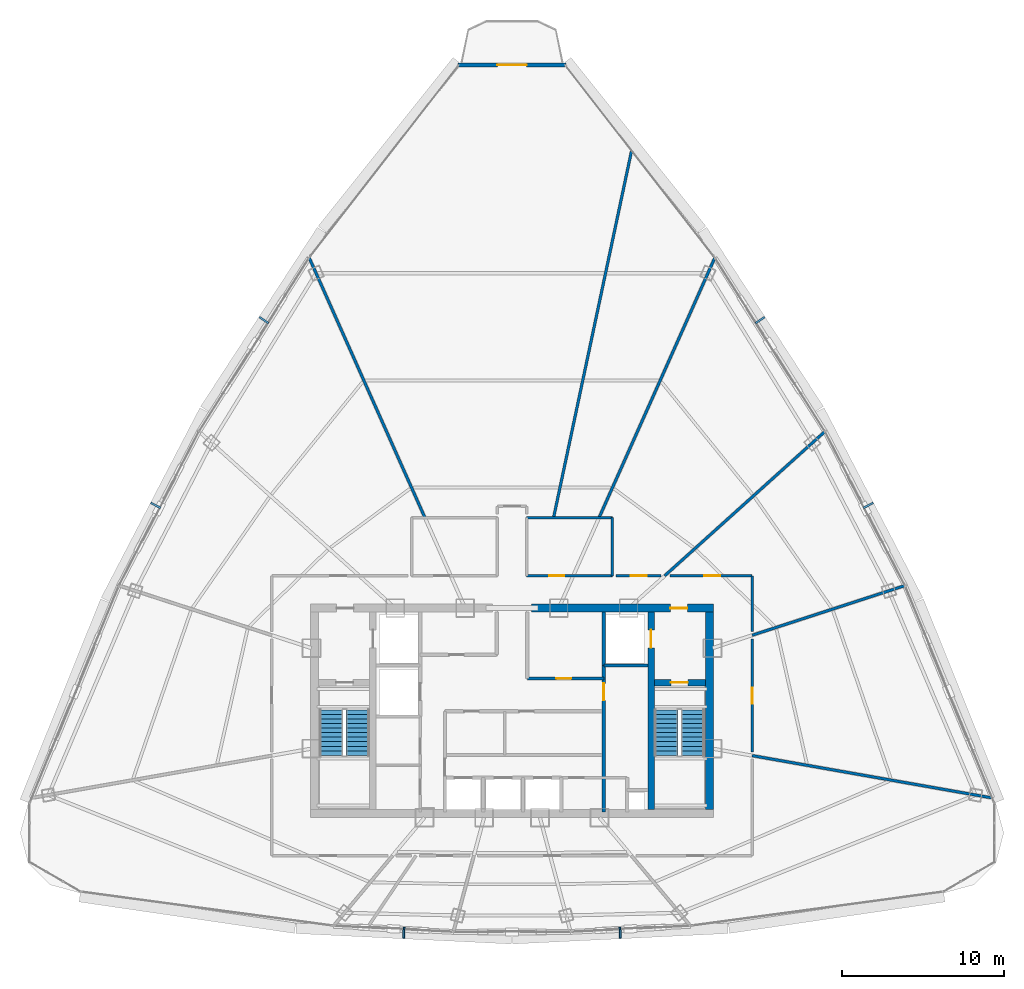
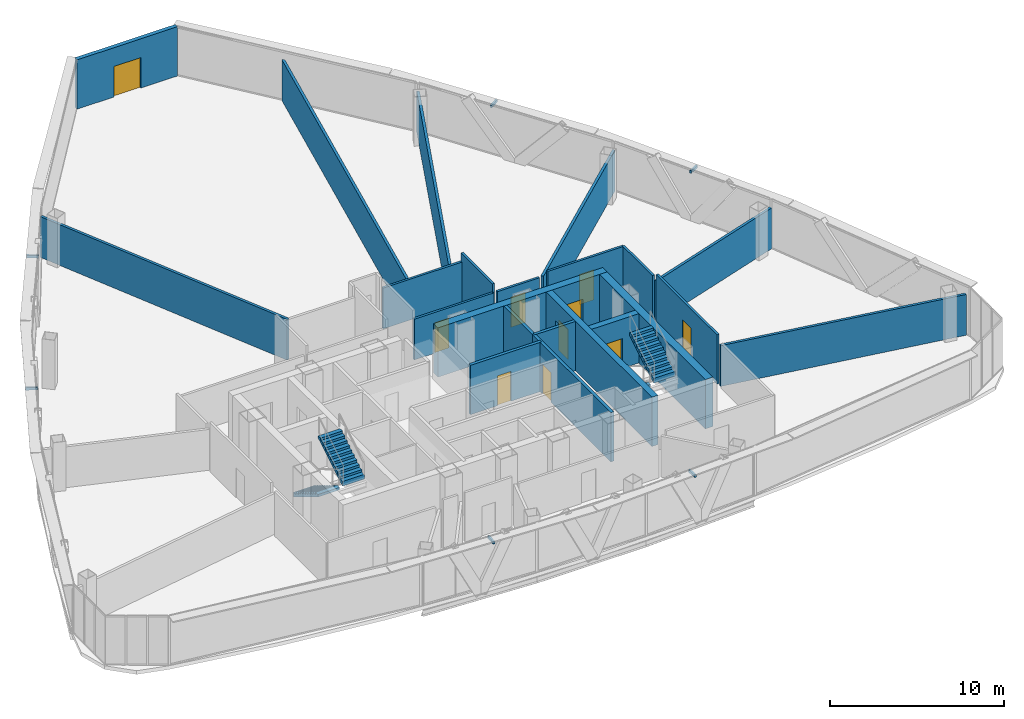
# One storey, part 30 of 33: 22 walls, 10 doors, 6 discrete accessories, 4 stair flights, 10 openings, 2 elements without a shape of their own.
"""IFC4 building model written with IfcOpenShell, lengths in metres."""

from ifc_helpers import new_model, si_unit, direction, frame, frame_2d, origin, origin_with_axes, origin_2d, place, context, subcontext, project, spatial, polyline, rectangle, outline, extrude, source, transform, mapped, material, layer, layer_set, type_object, element, fill, aggregate, save


model = new_model("IFC4")

# Units and contexts
model_context = context("Model", 3, precision=1e-05, world=origin(), true_north=direction((0.0, 1.0)))
body_context = subcontext(model_context, "Body", "Model", "MODEL_VIEW")
ifc_project = project(units=[si_unit("LENGTHUNIT", "METRE"), si_unit("AREAUNIT", "SQUARE_METRE"), si_unit("VOLUMEUNIT", "CUBIC_METRE"), si_unit("PLANEANGLEUNIT", "RADIAN"), si_unit("MASSUNIT", "GRAM", prefix="KILO"), si_unit("THERMODYNAMICTEMPERATUREUNIT", "KELVIN"), si_unit("POWERUNIT", "WATT")], contexts=[model_context])

# Site, building, storey
site_placement = place(None, origin())
site = spatial("IfcSite", under=ifc_project, at=site_placement, CompositionType="ELEMENT")
building_placement = place(site_placement, origin())
building = spatial("IfcBuilding", under=site, at=building_placement, Name="Yunzhuo Pagoda Commons", CompositionType="ELEMENT")
storey_placement = place(building_placement, frame((0.0, 0.0, 311.1298828125)))
storey = spatial("IfcBuildingStorey", under=building, at=storey_placement, Name="L78", CompositionType="ELEMENT", Elevation=311.1298828125)

# Wall, opening, door
ifc_material_1 = material(Name="Precast concrete C40", Category="concrete")
ifc_layer_1 = layer(ifc_material_1, 0.260009765625)
ifc_layer_set_1 = layer_set([ifc_layer_1], Name="Precast concrete C40")
wall_type_1 = type_object("IfcWallType", Name="W-BAL1 Corner Balcony Threshold Wall 260", PredefinedType="STANDARD", material=ifc_layer_set_1)
wall_1_placement = place(storey_placement, frame((51.3408203125, 73.785888671875, 0.0), z_axis=(0.0, 0.0, 1.0), x_axis=(-1.0, 0.0, 0.0)))
wall_1 = element("IfcWall", 1, at=wall_1_placement, inside=storey, type_object=wall_type_1, Name="L78 corner balcony wall V3", PredefinedType="STANDARD", context=body_context, shape_type="SweptSolid", body=[
    extrude(rectangle(XDim=6.681640625, YDim=0.260009765625, at=frame_2d((3.3408203125, 0.0))), origin(), (0.0, 0.0, 1.0), 3.47021484375),
])
opening_1_placement = place(wall_1_placement, frame((2.440673828125, 0.0, 0.0)))
opening_1 = element("IfcOpeningElement", 2, at=opening_1_placement, cuts=wall_1, Name="Opening D-BAL1", PredefinedType="OPENING", context=body_context, shape_type="SweptSolid", body=[
    extrude(rectangle(XDim=1.800048828125, YDim=2.14990234375, at=frame_2d((0.89990234375, 1.074951171875))), frame((0.0, 0.14013671875, 0.0), z_axis=(0.0, -1.0, 0.0), x_axis=(1.0, 0.0, 0.0)), (0.0, 0.0, 1.0), 0.280029296875),
])
ifc_material_2 = material(Name="Anodized aluminium frame and tempered glazed leaf", Category="aluminium")
door_type_1 = type_object("IfcDoorType", Name="D-BAL1 Corner Balcony Sliding Glazed Door 1800x2150", OperationType="DOUBLE_DOOR_SLIDING", PredefinedType="DOOR", material=ifc_material_2)
shared_shape_1 = source(origin(), body_context, "Body", "SweptSolid", [
    extrude(rectangle(XDim=1.800048828125, YDim=2.14990234375, at=frame_2d((0.89990234375, 1.074951171875))), frame((0.0, 0.02490234375, 0.0), z_axis=(0.0, -1.0, 0.0), x_axis=(1.0, 0.0, 0.0)), (0.0, 0.0, 1.0), 0.050048828125),
])
door_1_placement = place(opening_1_placement, origin_with_axes())
door_1 = element("IfcDoor", 3, at=door_1_placement, inside=storey, type_object=door_type_1, Name="L78 corner balcony sliding door V3", OperationType="DOUBLE_DOOR_SLIDING", OverallHeight=2.14990234375, OverallWidth=1.800048828125, PredefinedType="DOOR", context=body_context, shape_type="MappedRepresentation", body=[
    mapped(shared_shape_1, transform((0.0, 0.0, 0.0), scale=1.0)),
])
fill(opening_1, door_1)

ifc_material_3 = material(Name="Concrete C50", Category="concrete")
ifc_layer_2 = layer(ifc_material_3, 0.5)
ifc_layer_set_2 = layer_set([ifc_layer_2], Name="Concrete C50")
wall_type_2 = type_object("IfcWallType", Name="W-C03 Upper Core Shear Wall 500", PredefinedType="SHEAR", material=ifc_layer_set_2)
wall_2_placement = place(storey_placement, frame((49.199951171875, 40.199951171875, 0.0), z_axis=(0.0, 0.0, 1.0), x_axis=(1.0, 0.0, 0.0)))
wall_2 = element("IfcWall", 4, at=wall_2_placement, inside=storey, type_object=wall_type_2, Name="L78 core shear wall NE", PredefinedType="SHEAR", context=body_context, shape_type="SweptSolid", body=[
    extrude(rectangle(XDim=11.25, YDim=0.5, at=frame_2d((5.625, 0.0))), origin(), (0.0, 0.0, 1.0), 3.47021484375),
])
opening_2_placement = place(wall_2_placement, frame((8.60009765625, 0.0, 0.0)))
opening_2 = element("IfcOpeningElement", 5, at=opening_2_placement, cuts=wall_2, Name="Opening D-02", PredefinedType="OPENING", context=body_context, shape_type="SweptSolid", body=[
    extrude(rectangle(XDim=1.050048828125, YDim=2.10009765625, at=frame_2d((0.52490234375, 1.050048828125))), frame((0.0, 0.260009765625, 0.0), z_axis=(0.0, -1.0, 0.0), x_axis=(1.0, 0.0, 0.0)), (0.0, 0.0, 1.0), 0.52001953125),
])
ifc_material_4 = material(Name="Galvanized fire-resisting metal leaf")
door_type_2 = type_object("IfcDoorType", Name="D-02 Firefighting Lobby & Refuge Fire Door 1050x2100", OperationType="NOTDEFINED", PredefinedType="DOOR", material=ifc_material_4)
shared_shape_2 = source(origin(), body_context, "Body", "SweptSolid", [
    extrude(rectangle(XDim=1.050048828125, YDim=2.10009765625, at=frame_2d((0.52490234375, 1.050048828125))), frame((0.0, 0.02490234375, 0.0), z_axis=(0.0, -1.0, 0.0), x_axis=(1.0, 0.0, 0.0)), (0.0, 0.0, 1.0), 0.050048828125),
])
door_2_placement = place(opening_2_placement, frame((1.050048828125, 0.0, 0.0), z_axis=(0.0, 0.0, 1.0), x_axis=(-1.0, 0.0, 0.0)))
door_2 = element("IfcDoor", 6, at=door_2_placement, inside=storey, type_object=door_type_2, Name="L78 Firefighting Lobby 2 fire door", OperationType="SINGLE_SWING_RIGHT", OverallHeight=2.10009765625, OverallWidth=1.050048828125, PredefinedType="DOOR", context=body_context, shape_type="MappedRepresentation", body=[
    mapped(shared_shape_2, transform((0.0, 0.0, 0.0), scale=1.0)),
])
fill(opening_2, door_2)

# Wall
wall_3_placement = place(storey_placement, frame((60.199951171875, 27.75, 0.0), z_axis=(0.0, 0.0, 1.0), x_axis=(0.0, 1.0, 0.0)))
element("IfcWall", 7, at=wall_3_placement, inside=storey, type_object=wall_type_2, Name="L78 core shear wall E", PredefinedType="SHEAR", context=body_context, shape_type="SweptSolid", body=[
    extrude(rectangle(XDim=12.199951171875, YDim=0.5, at=frame_2d((6.10009765625, 0.0))), origin(), (0.0, 0.0, 1.0), 3.47021484375),
])

# Wall, opening, door
ifc_material_5 = material(Name="Gypsum plasterboard on acoustic stud")
ifc_layer_3 = layer(ifc_material_5, 0.14990234375)
ifc_layer_set_3 = layer_set([ifc_layer_3], Name="Gypsum plasterboard on acoustic stud")
wall_type_3 = type_object("IfcWallType", Name="W-COR3 High-Zone Rated Corridor Wall 150", PredefinedType="PARTITIONING", material=ifc_layer_set_3)
wall_4_placement = place(storey_placement, frame((48.89990234375, 42.199951171875, 0.0), z_axis=(0.0, 0.0, 1.0), x_axis=(1.0, 0.0, 0.0)))
wall_4 = element("IfcWall", 8, at=wall_4_placement, inside=storey, type_object=wall_type_3, Name="L78 interior wall IW-L78-TFES", PredefinedType="PARTITIONING", context=body_context, shape_type="SweptSolid", body=[
    extrude(rectangle(XDim=5.300048828125, YDim=0.14990234375, at=frame_2d((2.64990234375, 0.0))), origin(), (0.0, 0.0, 1.0), 2.8701171875),
])
opening_3_placement = place(wall_4_placement, frame((1.39990234375, 0.0, 0.0)))
opening_3 = element("IfcOpeningElement", 9, at=opening_3_placement, cuts=wall_4, Name="Opening D-11", PredefinedType="OPENING", context=body_context, shape_type="SweptSolid", body=[
    extrude(rectangle(XDim=0.93994140625, YDim=2.10009765625, at=frame_2d((0.469970703125, 1.050048828125))), frame((0.0, 0.0849609375, 0.0), z_axis=(0.0, -1.0, 0.0), x_axis=(1.0, 0.0, 0.0)), (0.0, 0.0, 1.0), 0.169921875),
])
door_type_3 = type_object("IfcDoorType", Name="D-11 Accessible Washroom Fire Door 940x2100", OperationType="NOTDEFINED", PredefinedType="DOOR", material=ifc_material_4)
shared_shape_3 = source(origin(), body_context, "Body", "SweptSolid", [
    extrude(rectangle(XDim=0.93994140625, YDim=2.10009765625, at=frame_2d((0.469970703125, 1.050048828125))), frame((0.0, 0.02490234375, 0.0), z_axis=(0.0, -1.0, 0.0), x_axis=(1.0, 0.0, 0.0)), (0.0, 0.0, 1.0), 0.050048828125),
])
door_3_placement = place(opening_3_placement, frame((0.93994140625, 0.0, 0.0), z_axis=(0.0, 0.0, 1.0), x_axis=(-1.0, 0.0, 0.0)))
door_3 = element("IfcDoor", 10, at=door_3_placement, inside=storey, type_object=door_type_3, Name="L78 accessible WC door", OperationType="SINGLE_SWING_RIGHT", OverallHeight=2.10009765625, OverallWidth=0.93994140625, PredefinedType="DOOR", context=body_context, shape_type="MappedRepresentation", body=[
    mapped(shared_shape_3, transform((0.0, 0.0, 0.0), scale=1.0)),
])
fill(opening_3, door_3)

# Walls
wall_5_placement = place(storey_placement, frame((48.89990234375, 45.800048828125, 0.0), z_axis=(0.0, 0.0, 1.0), x_axis=(1.0, 0.0, 0.0)))
element("IfcWall", 11, at=wall_5_placement, inside=storey, type_object=wall_type_3, Name="L78 interior wall IW-L78-TFEN", PredefinedType="PARTITIONING", context=body_context, shape_type="SweptSolid", body=[
    extrude(rectangle(XDim=5.300048828125, YDim=0.14990234375, at=frame_2d((2.64990234375, 0.0))), origin(), (0.0, 0.0, 1.0), 2.8701171875),
])
wall_6_placement = place(storey_placement, frame((54.199951171875, 42.199951171875, 0.0), z_axis=(0.0, 0.0, 1.0), x_axis=(0.0, 1.0, 0.0)))
element("IfcWall", 12, at=wall_6_placement, inside=storey, type_object=wall_type_3, Name="L78 interior wall IW-L78-TFEE", PredefinedType="PARTITIONING", context=body_context, shape_type="SweptSolid", body=[
    extrude(rectangle(XDim=3.60009765625, YDim=0.14990234375, at=frame_2d((1.800048828125, 0.0))), origin(), (0.0, 0.0, 1.0), 3.47021484375),
])

# Wall, opening, door
wall_7_placement = place(storey_placement, frame((54.419921875, 42.199951171875, 0.0), z_axis=(0.0, 0.0, 1.0), x_axis=(1.0, 0.0, 0.0)))
wall_7 = element("IfcWall", 13, at=wall_7_placement, inside=storey, type_object=wall_type_3, Name="L78 interior wall IW-L78-CWL08", PredefinedType="PARTITIONING", context=body_context, shape_type="SweptSolid", body=[
    extrude(rectangle(XDim=2.800537109375, YDim=0.14990234375, at=frame_2d((1.400390625, 0.0))), origin(), (0.0, 0.0, 1.0), 2.8701171875),
])
opening_4_placement = place(wall_7_placement, frame((0.925048828125, 0.0, 0.0)))
opening_4 = element("IfcOpeningElement", 14, at=opening_4_placement, cuts=wall_7, Name="Opening D-08", PredefinedType="OPENING", context=body_context, shape_type="SweptSolid", body=[
    extrude(rectangle(XDim=0.97998046875, YDim=2.1201171875, at=frame_2d((0.489990234375, 1.06005859375))), frame((0.0, 0.0849609375, 0.0), z_axis=(0.0, -1.0, 0.0), x_axis=(1.0, 0.0, 0.0)), (0.0, 0.0, 1.0), 0.169921875),
])
door_type_4 = type_object("IfcDoorType", Name="D-08 High-Zone Suite Entrance Fire Door 980x2120", OperationType="NOTDEFINED", PredefinedType="DOOR", material=ifc_material_4)
shared_shape_4 = source(origin(), body_context, "Body", "SweptSolid", [
    extrude(rectangle(XDim=0.97998046875, YDim=2.1201171875, at=frame_2d((0.489990234375, 1.06005859375))), frame((0.0, 0.02490234375, 0.0), z_axis=(0.0, -1.0, 0.0), x_axis=(1.0, 0.0, 0.0)), (0.0, 0.0, 1.0), 0.050048828125),
])
door_4_placement = place(opening_4_placement, origin_with_axes())
door_4 = element("IfcDoor", 15, at=door_4_placement, inside=storey, type_object=door_type_4, Name="L78 unit 03 entrance door", OperationType="SINGLE_SWING_RIGHT", OverallHeight=2.1201171875, OverallWidth=0.97998046875, PredefinedType="DOOR", context=body_context, shape_type="MappedRepresentation", body=[
    mapped(shared_shape_4, transform((0.0, 0.0, 0.0), scale=1.0)),
])
fill(opening_4, door_4)

wall_8_placement = place(storey_placement, frame((57.76904296875, 42.199951171875, 0.0), z_axis=(0.0, 0.0, 1.0), x_axis=(1.0, 0.0, 0.0)))
wall_8 = element("IfcWall", 16, at=wall_8_placement, inside=storey, type_object=wall_type_3, Name="L78 interior wall IW-L78-CWL09", PredefinedType="PARTITIONING", context=body_context, shape_type="SweptSolid", body=[
    extrude(rectangle(XDim=5.0810546875, YDim=0.14990234375, at=frame_2d((2.54052734375, 0.0))), origin(), (0.0, 0.0, 1.0), 3.1201171875),
])
opening_5_placement = place(wall_8_placement, frame((2.131103515625, 0.0, 0.0)))
opening_5 = element("IfcOpeningElement", 17, at=opening_5_placement, cuts=wall_8, Name="Opening D-08", PredefinedType="OPENING", context=body_context, shape_type="SweptSolid", body=[
    extrude(rectangle(XDim=0.97998046875, YDim=2.1201171875, at=frame_2d((0.489990234375, 1.06005859375))), frame((0.0, 0.0849609375, 0.0), z_axis=(0.0, -1.0, 0.0), x_axis=(1.0, 0.0, 0.0)), (0.0, 0.0, 1.0), 0.169921875),
])
door_5_placement = place(opening_5_placement, origin_with_axes())
door_5 = element("IfcDoor", 18, at=door_5_placement, inside=storey, type_object=door_type_4, Name="L78 unit 02 entrance door", OperationType="SINGLE_SWING_LEFT", OverallHeight=2.1201171875, OverallWidth=0.97998046875, PredefinedType="DOOR", context=body_context, shape_type="MappedRepresentation", body=[
    mapped(shared_shape_4, transform((0.0, 0.0, 0.0), scale=1.0)),
])
fill(opening_5, door_5)

# Wall
wall_9_placement = place(storey_placement, frame((62.85009765625, 42.199951171875, 0.0), z_axis=(0.0, 0.0, 1.0), x_axis=(0.0, -1.0, 0.0)))
element("IfcWall", 19, at=wall_9_placement, inside=storey, type_object=wall_type_3, Name="L78 interior wall IW-L78-CWL10", PredefinedType="PARTITIONING", context=body_context, shape_type="SweptSolid", body=[
    extrude(rectangle(XDim=3.443603515625, YDim=0.14990234375, at=frame_2d((1.7216796875, 0.0))), origin(), (0.0, 0.0, 1.0), 3.1201171875),
])

# Wall, opening, door
wall_10_placement = place(storey_placement, frame((62.85009765625, 38.305419921875, 0.0), z_axis=(0.0, 0.0, 1.0), x_axis=(0.0, -1.0, 0.0)))
wall_10 = element("IfcWall", 20, at=wall_10_placement, inside=storey, type_object=wall_type_3, Name="L78 interior wall IW-L78-CWL11", PredefinedType="PARTITIONING", context=body_context, shape_type="SweptSolid", body=[
    extrude(rectangle(XDim=7.004150390625, YDim=0.14990234375, at=frame_2d((3.501953125, 0.0))), origin(), (0.0, 0.0, 1.0), 3.47021484375),
])
opening_6_placement = place(wall_10_placement, frame((3.027099609375, 0.0, 0.0)))
opening_6 = element("IfcOpeningElement", 21, at=opening_6_placement, cuts=wall_10, Name="Opening D-08", PredefinedType="OPENING", context=body_context, shape_type="SweptSolid", body=[
    extrude(rectangle(XDim=0.97998046875, YDim=2.1201171875, at=frame_2d((0.489990234375, 1.06005859375))), frame((0.0, 0.0849609375, 0.0), z_axis=(0.0, -1.0, 0.0), x_axis=(1.0, 0.0, 0.0)), (0.0, 0.0, 1.0), 0.169921875),
])
door_6_placement = place(opening_6_placement, origin_with_axes())
door_6 = element("IfcDoor", 22, at=door_6_placement, inside=storey, type_object=door_type_4, Name="L78 unit 01 entrance door", OperationType="SINGLE_SWING_RIGHT", OverallHeight=2.1201171875, OverallWidth=0.97998046875, PredefinedType="DOOR", context=body_context, shape_type="MappedRepresentation", body=[
    mapped(shared_shape_4, transform((0.0, 0.0, 0.0), scale=1.0)),
])
fill(opening_6, door_6)

# Walls
ifc_layer_4 = layer(ifc_material_5, 0.169921875)
ifc_layer_set_4 = layer_set([ifc_layer_4], Name="Gypsum plasterboard on acoustic stud")
wall_type_4 = type_object("IfcWallType", Name="W-PRT4 High-Zone Demising Wall 170", PredefinedType="PARTITIONING", material=ifc_layer_set_4)
wall_11_placement = place(storey_placement, frame((62.85009765625, 38.525146484375, 0.0), z_axis=(0.0, 0.0, 1.0), x_axis=(0.951056273407, 0.309017741906, 0.0)))
element("IfcWall", 23, at=wall_11_placement, inside=storey, type_object=wall_type_4, Name="L78 interior wall IW-L78-RAD01", PredefinedType="PARTITIONING", context=body_context, shape_type="SweptSolid", body=[
    extrude(rectangle(XDim=9.937255859375, YDim=0.169921875, at=frame_2d((4.96875, 0.0))), origin(), (0.0, 0.0, 1.0), 2.8701171875),
])
wall_12_placement = place(storey_placement, frame((57.440185546875, 42.199951171875, 0.0), z_axis=(0.0, 0.0, 1.0), x_axis=(0.743143971996, 0.669131554245, 0.0)))
element("IfcWall", 24, at=wall_12_placement, inside=storey, type_object=wall_type_4, Name="L78 interior wall IW-L78-RAD02", PredefinedType="PARTITIONING", context=body_context, shape_type="SweptSolid", body=[
    extrude(rectangle(XDim=13.339599609375, YDim=0.169921875, at=frame_2d((6.669921875, 0.0))), origin(), (0.0, 0.0, 1.0), 2.8701171875),
])
wall_13_placement = place(storey_placement, frame((53.38720703125, 45.800048828125, 0.0), z_axis=(0.0, 0.0, 1.0), x_axis=(0.406746244391, 0.913541182801, 0.0)))
element("IfcWall", 25, at=wall_13_placement, inside=storey, type_object=wall_type_4, Name="L78 interior wall IW-L78-RAD03", PredefinedType="PARTITIONING", context=body_context, shape_type="SweptSolid", body=[
    extrude(rectangle(XDim=17.589111328125, YDim=0.169921875, at=frame_2d((8.79443359375, 0.0))), origin(), (0.0, 0.0, 1.0), 2.8701171875),
])
wall_14_placement = place(storey_placement, frame((50.572021484375, 45.800048828125, 0.0), z_axis=(0.0, 0.0, 1.0), x_axis=(0.207911865665, 0.978147563569, 0.0)))
element("IfcWall", 26, at=wall_14_placement, inside=storey, type_object=wall_type_4, Name="L78 interior wall IW-L78-RAD04", PredefinedType="PARTITIONING", context=body_context, shape_type="SweptSolid", body=[
    extrude(rectangle(XDim=23.200927734375, YDim=0.169921875, at=frame_2d((11.6005859375, 0.0))), origin(), (0.0, 0.0, 1.0), 2.8701171875),
])
wall_15_placement = place(storey_placement, frame((42.61279296875, 45.800048828125, 0.0), z_axis=(0.0, 0.0, 1.0), x_axis=(-0.406746244391, 0.913541182801, 0.0)))
element("IfcWall", 27, at=wall_15_placement, inside=storey, type_object=wall_type_4, Name="L78 interior wall IW-L78-RAD05", PredefinedType="PARTITIONING", context=body_context, shape_type="SweptSolid", body=[
    extrude(rectangle(XDim=17.589111328125, YDim=0.169921875, at=frame_2d((8.79443359375, 0.0))), origin(), (0.0, 0.0, 1.0), 2.8701171875),
])
wall_16_placement = place(storey_placement, frame((62.85009765625, 31.08154296875, 0.0), z_axis=(0.0, 0.0, 1.0), x_axis=(0.984808005161, -0.173646747654, 0.0)))
element("IfcWall", 28, at=wall_16_placement, inside=storey, type_object=wall_type_4, Name="L78 interior wall IW-L78-RAD12", PredefinedType="PARTITIONING", context=body_context, shape_type="SweptSolid", body=[
    extrude(rectangle(XDim=15.07470703125, YDim=0.169921875, at=frame_2d((7.537353515625, 0.0))), origin(), (0.0, 0.0, 1.0), 2.8701171875),
])

# Wall, opening, door
ifc_material_6 = material(Name="Concrete C60", Category="concrete")
ifc_layer_5 = layer(ifc_material_6, 0.39990234375)
ifc_layer_set_5 = layer_set([ifc_layer_5], Name="Concrete C60")
wall_type_5 = type_object("IfcWallType", Name="W-S01 Internal Core Shear Web 400", PredefinedType="SHEAR", material=ifc_layer_set_5)
wall_17_placement = place(storey_placement, frame((56.60009765625, 27.75, 0.0), z_axis=(0.0, 0.0, 1.0), x_axis=(0.0, 1.0, 0.0)))
wall_17 = element("IfcWall", 29, at=wall_17_placement, inside=storey, type_object=wall_type_5, Name="L78 core shear wall WEBE", PredefinedType="SHEAR", context=body_context, shape_type="SweptSolid", body=[
    extrude(rectangle(XDim=12.199951171875, YDim=0.39990234375, at=frame_2d((6.10009765625, 0.0))), origin(), (0.0, 0.0, 1.0), 3.47021484375),
])
opening_7_placement = place(wall_17_placement, frame((10.0, 0.0, 0.0)))
opening_7 = element("IfcOpeningElement", 30, at=opening_7_placement, cuts=wall_17, Name="Opening LD-01", PredefinedType="OPENING", context=body_context, shape_type="SweptSolid", body=[
    extrude(rectangle(XDim=1.10009765625, YDim=2.10009765625, at=frame_2d((0.550048828125, 1.050048828125))), frame((0.0, 0.2099609375, 0.0), z_axis=(0.0, -1.0, 0.0), x_axis=(1.0, 0.0, 0.0)), (0.0, 0.0, 1.0), 0.419921875),
])
door_type_5 = type_object("IfcDoorType", Name="LD-01 Firefighting Lift Landing Door 1100x2100", OperationType="DOUBLE_DOOR_SLIDING", PredefinedType="DOOR", material=ifc_material_4)
shared_shape_5 = source(origin(), body_context, "Body", "SweptSolid", [
    extrude(rectangle(XDim=1.10009765625, YDim=2.10009765625, at=frame_2d((0.550048828125, 1.050048828125))), frame((0.0, 0.02490234375, 0.0), z_axis=(0.0, -1.0, 0.0), x_axis=(1.0, 0.0, 0.0)), (0.0, 0.0, 1.0), 0.050048828125),
])
door_7_placement = place(opening_7_placement, origin_with_axes())
door_7 = element("IfcDoor", 31, at=door_7_placement, inside=storey, type_object=door_type_5, Name="L78 Firefighting lift FL-2 landing door", OperationType="DOUBLE_DOOR_SLIDING", OverallHeight=2.10009765625, OverallWidth=1.10009765625, PredefinedType="DOOR", context=body_context, shape_type="MappedRepresentation", body=[
    mapped(shared_shape_5, transform((0.0, 0.0, 0.0), scale=1.0)),
])
fill(opening_7, door_7)

wall_18_placement = place(storey_placement, frame((56.800048828125, 35.60009765625, 0.0), z_axis=(0.0, 0.0, 1.0), x_axis=(1.0, 0.0, 0.0)))
wall_18 = element("IfcWall", 32, at=wall_18_placement, inside=storey, type_object=wall_type_5, Name="L78 core shear wall STE", PredefinedType="SHEAR", context=body_context, shape_type="SweptSolid", body=[
    extrude(rectangle(XDim=3.14990234375, YDim=0.39990234375, at=frame_2d((1.574951171875, 0.0))), origin(), (0.0, 0.0, 1.0), 3.47021484375),
])
opening_8_placement = place(wall_18_placement, frame((1.02001953125, 0.0, 0.0)))
opening_8 = element("IfcOpeningElement", 33, at=opening_8_placement, cuts=wall_18, Name="Opening D-01", PredefinedType="OPENING", context=body_context, shape_type="SweptSolid", body=[
    extrude(rectangle(XDim=1.050048828125, YDim=2.10009765625, at=frame_2d((0.52490234375, 1.050048828125))), frame((0.0, 0.2099609375, 0.0), z_axis=(0.0, -1.0, 0.0), x_axis=(1.0, 0.0, 0.0)), (0.0, 0.0, 1.0), 0.419921875),
])
door_type_6 = type_object("IfcDoorType", Name="D-01 Smokeproof Stair Fire Door 1050x2100", OperationType="NOTDEFINED", PredefinedType="DOOR", material=ifc_material_4)
door_8_placement = place(opening_8_placement, frame((1.050048828125, 0.0, 0.0), z_axis=(0.0, 0.0, 1.0), x_axis=(-1.0, 0.0, 0.0)))
door_8 = element("IfcDoor", 34, at=door_8_placement, inside=storey, type_object=door_type_6, Name="L78 Stair ST2 fire door", OperationType="SINGLE_SWING_RIGHT", OverallHeight=2.10009765625, OverallWidth=1.050048828125, PredefinedType="DOOR", context=body_context, shape_type="MappedRepresentation", body=[
    mapped(shared_shape_2, transform((0.0, 0.0, 0.0), scale=1.0)),
])
fill(opening_8, door_8)

# Walls
ifc_material_7 = material(Name="Concrete C40", Category="concrete")
ifc_layer_6 = layer(ifc_material_7, 0.199951171875)
ifc_layer_set_6 = layer_set([ifc_layer_6], Name="Concrete C40")
wall_type_6 = type_object("IfcWallType", Name="W-SHF Shaft & Stair Enclosure Wall 200", PredefinedType="SOLIDWALL", material=ifc_layer_set_6)
wall_19_placement = place(storey_placement, frame((53.679931640625, 36.64990234375, 0.0), z_axis=(0.0, 0.0, 1.0), x_axis=(0.0, 1.0, 0.0)))
element("IfcWall", 35, at=wall_19_placement, inside=storey, type_object=wall_type_6, Name="L78 interior wall IW-L78-FL2W", PredefinedType="SOLIDWALL", context=body_context, shape_type="SweptSolid", body=[
    extrude(rectangle(XDim=3.300048828125, YDim=0.199951171875, at=frame_2d((1.64990234375, 0.0))), origin(), (0.0, 0.0, 1.0), 3.47021484375),
])
wall_20_placement = place(storey_placement, frame((53.679931640625, 36.64990234375, 0.0), z_axis=(0.0, 0.0, 1.0), x_axis=(1.0, 0.0, 0.0)))
element("IfcWall", 36, at=wall_20_placement, inside=storey, type_object=wall_type_6, Name="L78 interior wall IW-L78-FL2S", PredefinedType="SOLIDWALL", context=body_context, shape_type="SweptSolid", body=[
    extrude(rectangle(XDim=2.719970703125, YDim=0.199951171875, at=frame_2d((1.35986328125, 0.0))), origin(), (0.0, 0.0, 1.0), 3.47021484375),
])

# Wall, opening, door
wall_21_placement = place(storey_placement, frame((48.949951171875, 35.85009765625, 0.0), z_axis=(0.0, 0.0, 1.0), x_axis=(1.0, 0.0, 0.0)))
wall_21 = element("IfcWall", 37, at=wall_21_placement, inside=storey, type_object=wall_type_6, Name="L78 interior wall IW-L78-LBNE", PredefinedType="SOLIDWALL", context=body_context, shape_type="SweptSolid", body=[
    extrude(rectangle(XDim=4.72998046875, YDim=0.199951171875, at=frame_2d((2.364990234375, 0.0))), origin(), (0.0, 0.0, 1.0), 3.47021484375),
])
opening_9_placement = place(wall_21_placement, frame((1.800048828125, 0.0, 0.0)))
opening_9 = element("IfcOpeningElement", 38, at=opening_9_placement, cuts=wall_21, Name="Opening D-03", PredefinedType="OPENING", context=body_context, shape_type="SweptSolid", body=[
    extrude(rectangle(XDim=0.89990234375, YDim=2.10009765625, at=frame_2d((0.449951171875, 1.050048828125))), frame((0.0, 0.10986328125, 0.0), z_axis=(0.0, -1.0, 0.0), x_axis=(1.0, 0.0, 0.0)), (0.0, 0.0, 1.0), 0.219970703125),
])
door_type_7 = type_object("IfcDoorType", Name="D-03 Core Service Fire Door 900x2100", OperationType="NOTDEFINED", PredefinedType="DOOR", material=ifc_material_4)
shared_shape_6 = source(origin(), body_context, "Body", "SweptSolid", [
    extrude(rectangle(XDim=0.89990234375, YDim=2.10009765625, at=frame_2d((0.449951171875, 1.050048828125))), frame((0.0, 0.02490234375, 0.0), z_axis=(0.0, -1.0, 0.0), x_axis=(1.0, 0.0, 0.0)), (0.0, 0.0, 1.0), 0.050048828125),
])
door_9_placement = place(opening_9_placement, frame((0.89990234375, 0.0, 0.0), z_axis=(0.0, 0.0, 1.0), x_axis=(-1.0, 0.0, 0.0)))
door_9 = element("IfcDoor", 39, at=door_9_placement, inside=storey, type_object=door_type_7, Name="L78 core east store door", OperationType="SINGLE_SWING_RIGHT", OverallHeight=2.10009765625, OverallWidth=0.89990234375, PredefinedType="DOOR", context=body_context, shape_type="MappedRepresentation", body=[
    mapped(shared_shape_6, transform((0.0, 0.0, 0.0), scale=1.0)),
])
fill(opening_9, door_9)

wall_22_placement = place(storey_placement, frame((53.679931640625, 27.60009765625, 0.0), z_axis=(0.0, 0.0, 1.0), x_axis=(0.0, 1.0, 0.0)))
wall_22 = element("IfcWall", 40, at=wall_22_placement, inside=storey, type_object=wall_type_6, Name="L78 interior wall IW-L78-PLME", PredefinedType="SOLIDWALL", context=body_context, shape_type="SweptSolid", body=[
    extrude(rectangle(XDim=9.0498046875, YDim=0.199951171875, at=frame_2d((4.52490234375, 0.0))), origin(), (0.0, 0.0, 1.0), 3.47021484375),
])
opening_10_placement = place(wall_22_placement, frame((6.89990234375, 0.0, 0.0)))
opening_10 = element("IfcOpeningElement", 41, at=opening_10_placement, cuts=wall_22, Name="Opening D-02", PredefinedType="OPENING", context=body_context, shape_type="SweptSolid", body=[
    extrude(rectangle(XDim=1.050048828125, YDim=2.10009765625, at=frame_2d((0.52490234375, 1.050048828125))), frame((0.0, 0.10986328125, 0.0), z_axis=(0.0, -1.0, 0.0), x_axis=(1.0, 0.0, 0.0)), (0.0, 0.0, 1.0), 0.219970703125),
])
door_10_placement = place(opening_10_placement, origin_with_axes())
door_10 = element("IfcDoor", 42, at=door_10_placement, inside=storey, type_object=door_type_2, Name="L78 High-bank lift hall door", OperationType="SINGLE_SWING_RIGHT", OverallHeight=2.10009765625, OverallWidth=1.050048828125, PredefinedType="DOOR", context=body_context, shape_type="MappedRepresentation", body=[
    mapped(shared_shape_2, transform((0.0, 0.0, 0.0), scale=1.0)),
])
fill(opening_10, door_10)

# Stair, stair flights
stair_type_1 = type_object("IfcStairType", Name="ST-C1 Core Smokeproof Stair ST1", PredefinedType="HALF_TURN_STAIR", material=ifc_material_7)
stair_1_placement = place(storey_placement, origin())
stair_1 = element("IfcStair", 43, at=stair_1_placement, inside=storey, type_object=stair_type_1, Name="L78 Core smokeproof stair ST1", PredefinedType="HALF_TURN_STAIR")
stair_flight_type_1 = type_object("IfcStairFlightType", Name="STF-C1 Core Stair Flight 1450", PredefinedType="STRAIGHT", material=ifc_material_7)
shared_shape_7 = source(origin(), body_context, "Body", "SweptSolid", [
    extrude(outline(polyline([(0.0, -0.14990234375), (0.0, 0.0), (0.0, 0.16943359375), (0.280029296875, 0.16943359375), (0.280029296875, 0.339111328125), (0.56005859375, 0.339111328125), (0.56005859375, 0.508544921875), (0.840087890625, 0.508544921875), (0.840087890625, 0.67822265625), (1.1201171875, 0.67822265625), (1.1201171875, 0.84765625), (1.39990234375, 0.84765625), (1.39990234375, 1.017333984375), (1.679931640625, 1.017333984375), (1.679931640625, 1.186767578125), (1.9599609375, 1.186767578125), (1.9599609375, 1.3564453125), (2.239990234375, 1.3564453125), (2.239990234375, 1.52587890625), (2.52001953125, 1.52587890625), (2.52001953125, 1.695556640625), (2.800048828125, 1.695556640625), (2.800048828125, 1.864990234375), (2.800048828125, 1.520263671875), (0.289306640625, 0.0), (0.050048828125, -0.14990234375), (0.0, -0.14990234375)])), frame((0.0, 0.72509765625, 0.0), z_axis=(0.0, -1.0, 0.0), x_axis=(1.0, 0.0, 0.0)), (0.0, 0.0, 1.0), 1.449951171875),
])
stair_flight_1_placement = place(storey_placement, frame((36.824951171875, 33.89990234375, 0.0), z_axis=(0.0, 0.0, 1.0), x_axis=(0.0, -1.0, 0.0)))
stair_flight_1 = element("IfcStairFlight", 44, at=stair_flight_1_placement, type_object=stair_flight_type_1, Name="ST1 flight 1", NumberOfRisers=11, NumberOfTreads=10, PredefinedType="STRAIGHT", RiserHeight=0.169545455, TreadLength=0.28, context=body_context, shape_type="MappedRepresentation", body=[
    mapped(shared_shape_7, transform((0.0, 0.0, 0.0), scale=1.0)),
])
stair_flight_2_placement = place(storey_placement, frame((38.47509765625, 31.10009765625, 1.865234375), z_axis=(0.0, 0.0, 1.0), x_axis=(0.0, 1.0, 0.0)))
stair_flight_2 = element("IfcStairFlight", 45, at=stair_flight_2_placement, type_object=stair_flight_type_1, Name="ST1 flight 2", NumberOfRisers=11, NumberOfTreads=10, PredefinedType="STRAIGHT", RiserHeight=0.169545455, TreadLength=0.28, context=body_context, shape_type="MappedRepresentation", body=[
    mapped(shared_shape_7, transform((0.0, 0.0, 0.0), scale=1.0)),
])
aggregate(stair_1, [stair_flight_1, stair_flight_2])

stair_type_2 = type_object("IfcStairType", Name="ST-C2 Core Smokeproof Stair ST2", PredefinedType="HALF_TURN_STAIR", material=ifc_material_7)
stair_2_placement = place(storey_placement, origin())
stair_2 = element("IfcStair", 46, at=stair_2_placement, inside=storey, type_object=stair_type_2, Name="L78 Core smokeproof stair ST2", PredefinedType="HALF_TURN_STAIR")
stair_flight_type_2 = type_object("IfcStairFlightType", Name="STF-C2 Core Stair Flight 1460", PredefinedType="STRAIGHT", material=ifc_material_7)
stair_flight_3_placement = place(storey_placement, frame((57.52490234375, 33.89990234375, 0.0), z_axis=(0.0, 0.0, 1.0), x_axis=(0.0, -1.0, 0.0)))
stair_flight_3 = element("IfcStairFlight", 47, at=stair_flight_3_placement, type_object=stair_flight_type_2, Name="ST2 flight 1", NumberOfRisers=11, NumberOfTreads=10, PredefinedType="STRAIGHT", RiserHeight=0.169545455, TreadLength=0.28, context=body_context, shape_type="MappedRepresentation", body=[
    mapped(shared_shape_7, transform((0.0, 0.0, 0.0), scale=1.0)),
])
stair_flight_4_placement = place(storey_placement, frame((59.175048828125, 31.10009765625, 1.865234375), z_axis=(0.0, 0.0, 1.0), x_axis=(0.0, 1.0, 0.0)))
stair_flight_4 = element("IfcStairFlight", 48, at=stair_flight_4_placement, type_object=stair_flight_type_2, Name="ST2 flight 2", NumberOfRisers=11, NumberOfTreads=10, PredefinedType="STRAIGHT", RiserHeight=0.169545455, TreadLength=0.28, context=body_context, shape_type="MappedRepresentation", body=[
    mapped(shared_shape_7, transform((0.0, 0.0, 0.0), scale=1.0)),
])
aggregate(stair_2, [stair_flight_3, stair_flight_4])

# Discrete accessories
ifc_material_8 = material(Name="Anodized aluminium 6063-T6", Category="aluminium")
discrete_accessory_type = type_object("IfcDiscreteAccessoryType", Name="BK-SUN1 Sunshade Outrigger Bracket", PredefinedType="BRACKET", material=ifc_material_8)
shared_shape_8 = source(origin(), body_context, "Body", "SweptSolid", [
    extrude(rectangle(XDim=0.1201171875, YDim=0.679931640625, at=origin_2d()), origin(), (0.0, 0.0, 1.0), 0.179931640625),
])
for number, where, z_axis, x_axis, name in (
    (49, (41.31201171875, 20.12109375, 3.26025390625), (0.0, 0.0, 1.0), (0.998818043775, -0.04860571396, 0.0), "L78 sunshade outrigger bracket F1.2"),
    (50, (54.68798828125, 20.12109375, 3.26025390625), (0.0, 0.0, 1.0), (0.998818043775, 0.04860571396, 0.0), "L78 sunshade outrigger bracket F1.3"),
    (51, (70.02880859375, 46.552978515625, 3.26025390625), (0.0, 0.0, 1.0), (-0.461206683033, 0.88729273384, 0.0), "L78 sunshade outrigger bracket F2.2"),
    (52, (63.34033203125, 58.0107421875, 3.26025390625), (0.0, 0.0, 1.0), (-0.545853380833, 0.837880711458, 0.0), "L78 sunshade outrigger bracket F2.3"),
    (53, (32.65966796875, 58.0107421875, 3.26025390625), (0.0, 0.0, 1.0), (-0.545853380833, -0.837880711458, 0.0), "L78 sunshade outrigger bracket F3.2"),
    (54, (25.97119140625, 46.552978515625, 3.26025390625), (0.0, 0.0, 1.0), (-0.461206683033, -0.88729273384, 0.0), "L78 sunshade outrigger bracket F3.3"),
):
    element("IfcDiscreteAccessory", number, at=place(storey_placement, frame(where, z_axis=z_axis, x_axis=x_axis)), inside=storey, type_object=discrete_accessory_type, Name=name, PredefinedType="BRACKET", context=body_context, shape_type="MappedRepresentation", body=[
        mapped(shared_shape_8, transform((0.0, 0.0, 0.0), scale=1.0)),
    ])

save(model, "model.ifc")
